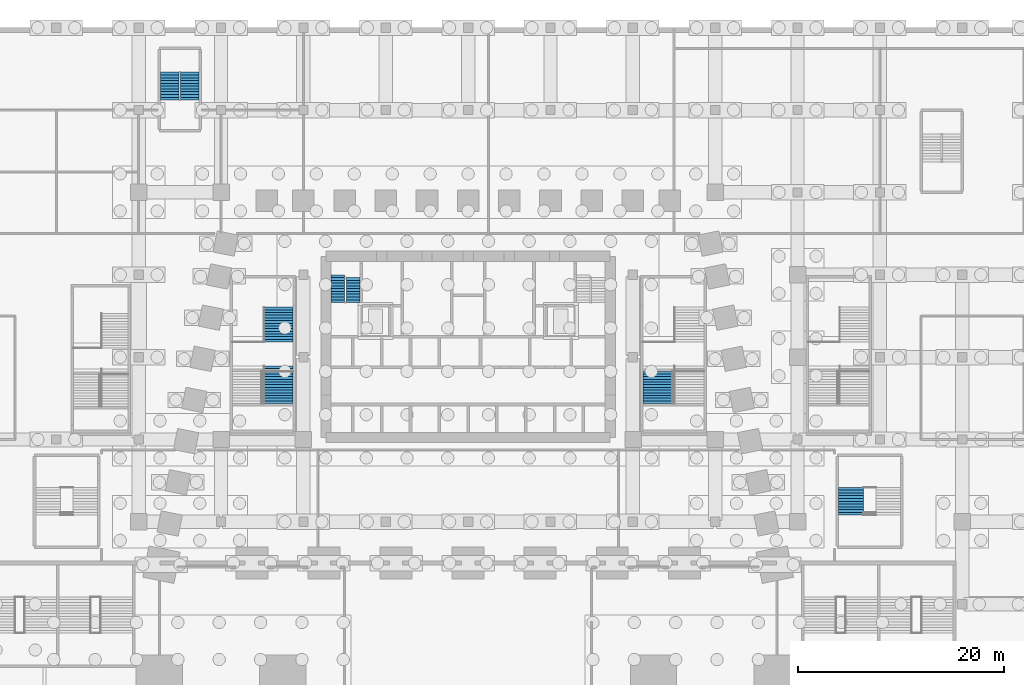
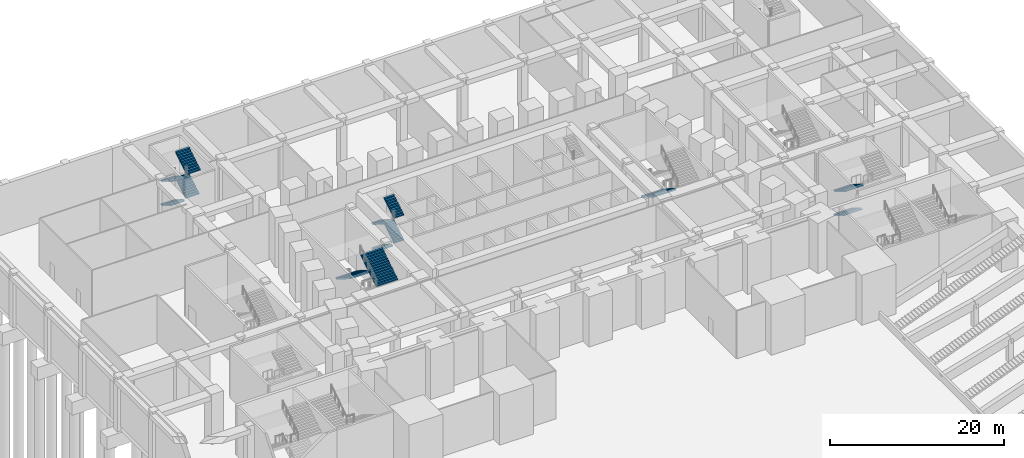
# One storey, part 19 of 30: 13 stair flights, 5 elements without a shape of their own.
"""IFC4 building model written with IfcOpenShell, lengths in metres."""

from ifc_helpers import new_model, si_unit, direction, frame, origin, place, context, subcontext, project, spatial, polyline, outline, extrude, material, type_object, element, aggregate, save


model = new_model("IFC4")

# Units and contexts
model_context = context("Model", 3, precision=1e-05, world=origin(), true_north=direction((0.0, 1.0)))
body_context = subcontext(model_context, "Body", "Model", "MODEL_VIEW")
ifc_project = project(units=[si_unit("LENGTHUNIT", "METRE"), si_unit("AREAUNIT", "SQUARE_METRE"), si_unit("VOLUMEUNIT", "CUBIC_METRE"), si_unit("PLANEANGLEUNIT", "RADIAN"), si_unit("MASSUNIT", "GRAM", prefix="KILO")], contexts=[model_context])

# Site, building, storey
site_placement = place(None, origin())
site = spatial("IfcSite", under=ifc_project, at=site_placement, CompositionType="ELEMENT")
building_placement = place(site_placement, origin())
building = spatial("IfcBuilding", under=site, at=building_placement, Name="Isbrekke Arena Tower", CompositionType="ELEMENT")
storey_placement = place(building_placement, frame((0.0, 0.0, -7.0)))
storey = spatial("IfcBuildingStorey", under=building, at=storey_placement, Name="B1", CompositionType="ELEMENT", Elevation=-7.0)

# Stair, stair flights
ifc_material_1 = material(Name="Concrete B45 (C45/55) precast", Category="concrete")
stair_type_1 = type_object("IfcStairType", Name="ST70 STAIR 1300 WIDE, 42 RISERS 167", PredefinedType="HALF_TURN_STAIR", material=ifc_material_1)
stair_1_placement = place(storey_placement, origin())
stair_1 = element("IfcStair", 1, at=stair_1_placement, inside=storey, type_object=stair_type_1, Name="ST1 stair B1", PredefinedType="HALF_TURN_STAIR")
ifc_material_2 = material(Name="Concrete B45 (C45/55) precast", Category="concrete")
stair_flight_type_1 = type_object("IfcStairFlightType", Name="SF 1300 FLIGHT", PredefinedType="STRAIGHT", material=ifc_material_2)
stair_flight_1_placement = place(storey_placement, frame((-12.64990234375, 22.0, 0.0), z_axis=(0.0, 0.0, 1.0), x_axis=(0.0, -1.0, 0.0)))
stair_flight_1 = element("IfcStairFlight", 2, at=stair_flight_1_placement, type_object=stair_flight_type_1, Name="ST1 flight 1", NumberOfRisers=11, NumberOfTreads=10, PredefinedType="STRAIGHT", RiserHeight=0.166666667, TreadLength=0.27, context=body_context, shape_type="SweptSolid", body=[
    extrude(outline(polyline([(0.0, 0.0), (0.0, 0.166748046875), (0.27001953125, 0.166748046875), (0.27001953125, 0.333251953125), (0.5400390625, 0.333251953125), (0.5400390625, 0.5), (0.81005859375, 0.5), (0.81005859375, 0.666748046875), (1.080078125, 0.666748046875), (1.080078125, 0.833251953125), (1.35009765625, 0.833251953125), (1.35009765625, 1.0), (1.6201171875, 1.0), (1.6201171875, 1.166748046875), (1.889892578125, 1.166748046875), (1.889892578125, 1.333251953125), (2.159912109375, 1.333251953125), (2.159912109375, 1.5), (2.429931640625, 1.5), (2.429931640625, 1.666748046875), (2.699951171875, 1.666748046875), (2.699951171875, 1.833251953125), (2.699951171875, 1.490478515625), (0.285400390625, 0.0), (0.0, 0.0)])), frame((0.0, 0.64990234375, 0.0), z_axis=(0.0, -1.0, 0.0), x_axis=(1.0, 0.0, 0.0)), (0.0, 0.0, 1.0), 1.300048828125),
])
stair_flight_2_placement = place(storey_placement, frame((-11.175048828125, 19.300048828125, 1.833251953125), z_axis=(0.0, 0.0, 1.0), x_axis=(0.0, 1.0, 0.0)))
stair_flight_2 = element("IfcStairFlight", 3, at=stair_flight_2_placement, type_object=stair_flight_type_1, Name="ST1 flight 2", NumberOfRisers=10, NumberOfTreads=9, PredefinedType="STRAIGHT", RiserHeight=0.166666667, TreadLength=0.27, context=body_context, shape_type="SweptSolid", body=[
    extrude(outline(polyline([(0.0, 0.0), (0.0, 0.166748046875), (0.27001953125, 0.166748046875), (0.27001953125, 0.333251953125), (0.5400390625, 0.333251953125), (0.5400390625, 0.5), (0.81005859375, 0.5), (0.81005859375, 0.666748046875), (1.080078125, 0.666748046875), (1.080078125, 0.833251953125), (1.35009765625, 0.833251953125), (1.35009765625, 1.0), (1.6201171875, 1.0), (1.6201171875, 1.166748046875), (1.889892578125, 1.166748046875), (1.889892578125, 1.333251953125), (2.159912109375, 1.333251953125), (2.159912109375, 1.5), (2.429931640625, 1.5), (2.429931640625, 1.666748046875), (2.429931640625, 1.32373046875), (0.285400390625, 0.0), (0.0, 0.0)])), frame((0.0, 0.64990234375, 0.0), z_axis=(0.0, -1.0, 0.0), x_axis=(1.0, 0.0, 0.0)), (0.0, 0.0, 1.0), 1.300048828125),
])
stair_flight_3_placement = place(storey_placement, frame((-12.64990234375, 22.0, 3.5), z_axis=(0.0, 0.0, 1.0), x_axis=(0.0, -1.0, 0.0)))
stair_flight_3 = element("IfcStairFlight", 4, at=stair_flight_3_placement, type_object=stair_flight_type_1, Name="ST1 flight 3", NumberOfRisers=11, NumberOfTreads=10, PredefinedType="STRAIGHT", RiserHeight=0.166666667, TreadLength=0.27, context=body_context, shape_type="SweptSolid", body=[
    extrude(outline(polyline([(0.0, 0.0), (0.0, 0.166748046875), (0.27001953125, 0.166748046875), (0.27001953125, 0.333251953125), (0.5400390625, 0.333251953125), (0.5400390625, 0.5), (0.81005859375, 0.5), (0.81005859375, 0.666748046875), (1.080078125, 0.666748046875), (1.080078125, 0.833251953125), (1.35009765625, 0.833251953125), (1.35009765625, 1.0), (1.6201171875, 1.0), (1.6201171875, 1.166748046875), (1.889892578125, 1.166748046875), (1.889892578125, 1.333251953125), (2.159912109375, 1.333251953125), (2.159912109375, 1.5), (2.429931640625, 1.5), (2.429931640625, 1.666748046875), (2.699951171875, 1.666748046875), (2.699951171875, 1.833251953125), (2.699951171875, 1.490478515625), (0.285400390625, 0.0), (0.0, 0.0)])), frame((0.0, 0.64990234375, 0.0), z_axis=(0.0, -1.0, 0.0), x_axis=(1.0, 0.0, 0.0)), (0.0, 0.0, 1.0), 1.300048828125),
])
stair_flight_4_placement = place(storey_placement, frame((-11.175048828125, 19.300048828125, 5.333251953125), z_axis=(0.0, 0.0, 1.0), x_axis=(0.0, 1.0, 0.0)))
stair_flight_4 = element("IfcStairFlight", 5, at=stair_flight_4_placement, type_object=stair_flight_type_1, Name="ST1 flight 4", NumberOfRisers=10, NumberOfTreads=9, PredefinedType="STRAIGHT", RiserHeight=0.166666667, TreadLength=0.27, context=body_context, shape_type="SweptSolid", body=[
    extrude(outline(polyline([(0.0, 0.0), (0.0, 0.166748046875), (0.27001953125, 0.166748046875), (0.27001953125, 0.333251953125), (0.5400390625, 0.333251953125), (0.5400390625, 0.5), (0.81005859375, 0.5), (0.81005859375, 0.666748046875), (1.080078125, 0.666748046875), (1.080078125, 0.833251953125), (1.35009765625, 0.833251953125), (1.35009765625, 1.0), (1.6201171875, 1.0), (1.6201171875, 1.166748046875), (1.889892578125, 1.166748046875), (1.889892578125, 1.333251953125), (2.159912109375, 1.333251953125), (2.159912109375, 1.5), (2.429931640625, 1.5), (2.429931640625, 1.666748046875), (2.429931640625, 1.32373046875), (0.285400390625, 0.0), (0.0, 0.0)])), frame((0.0, 0.64990234375, 0.0), z_axis=(0.0, -1.0, 0.0), x_axis=(1.0, 0.0, 0.0)), (0.0, 0.0, 1.0), 1.300048828125),
])
aggregate(stair_1, [stair_flight_1, stair_flight_2, stair_flight_3, stair_flight_4])

ifc_material_3 = material(Name="Concrete B45 (C45/55) precast", Category="concrete")
stair_type_2 = type_object("IfcStairType", Name="ST70 STAIR 1800 WIDE, 42 RISERS 167", PredefinedType="HALF_TURN_STAIR", material=ifc_material_3)
stair_2_placement = place(storey_placement, origin())
stair_2 = element("IfcStair", 6, at=stair_2_placement, inside=storey, type_object=stair_type_2, Name="P2 stair B1", PredefinedType="HALF_TURN_STAIR")
ifc_material_4 = material(Name="Concrete B45 (C45/55) precast", Category="concrete")
stair_flight_type_2 = type_object("IfcStairFlightType", Name="SF 1800 FLIGHT", PredefinedType="STRAIGHT", material=ifc_material_4)
stair_flight_5_placement = place(storey_placement, frame((-28.97509765625, 41.675048828125, 0.0), z_axis=(0.0, 0.0, 1.0), x_axis=(0.0, -1.0, 0.0)))
stair_flight_5 = element("IfcStairFlight", 7, at=stair_flight_5_placement, type_object=stair_flight_type_2, Name="P2 flight 1", NumberOfRisers=10, NumberOfTreads=9, PredefinedType="STRAIGHT", RiserHeight=0.166666667, TreadLength=0.27, context=body_context, shape_type="SweptSolid", body=[
    extrude(outline(polyline([(0.0, 0.0), (0.0, 0.166748046875), (0.27001953125, 0.166748046875), (0.27001953125, 0.333251953125), (0.5400390625, 0.333251953125), (0.5400390625, 0.5), (0.81005859375, 0.5), (0.81005859375, 0.666748046875), (1.080078125, 0.666748046875), (1.080078125, 0.833251953125), (1.35009765625, 0.833251953125), (1.35009765625, 1.0), (1.6201171875, 1.0), (1.6201171875, 1.166748046875), (1.889892578125, 1.166748046875), (1.889892578125, 1.333251953125), (2.159912109375, 1.333251953125), (2.159912109375, 1.5), (2.429931640625, 1.5), (2.429931640625, 1.666748046875), (2.429931640625, 1.32373046875), (0.285400390625, 0.0), (0.0, 0.0)])), frame((0.0, 0.89990234375, 0.0), z_axis=(0.0, -1.0, 0.0), x_axis=(1.0, 0.0, 0.0)), (0.0, 0.0, 1.0), 0.90087890625),
    extrude(outline(polyline([(0.0, 0.0), (0.0, 0.166748046875), (0.27001953125, 0.166748046875), (0.27001953125, 0.333251953125), (0.5400390625, 0.333251953125), (0.5400390625, 0.5), (0.81005859375, 0.5), (0.81005859375, 0.666748046875), (1.080078125, 0.666748046875), (1.080078125, 0.833251953125), (1.35009765625, 0.833251953125), (1.35009765625, 1.0), (1.6201171875, 1.0), (1.6201171875, 1.166748046875), (1.889892578125, 1.166748046875), (1.889892578125, 1.333251953125), (2.159912109375, 1.333251953125), (2.159912109375, 1.5), (2.429931640625, 1.5), (2.429931640625, 1.666748046875), (2.429931640625, 1.32373046875), (0.285400390625, 0.0), (0.0, 0.0)])), frame((0.0, 0.0009765625, 0.0), z_axis=(0.0, -1.0, 0.0), x_axis=(1.0, 0.0, 0.0)), (0.0, 0.0, 1.0), 0.90087890625),
])
stair_flight_6_placement = place(storey_placement, frame((-27.02490234375, 39.2451171875, 1.666748046875), z_axis=(0.0, 0.0, 1.0), x_axis=(0.0, 1.0, 0.0)))
stair_flight_6 = element("IfcStairFlight", 8, at=stair_flight_6_placement, type_object=stair_flight_type_2, Name="P2 flight 2", NumberOfRisers=10, NumberOfTreads=9, PredefinedType="STRAIGHT", RiserHeight=0.166666667, TreadLength=0.27, context=body_context, shape_type="SweptSolid", body=[
    extrude(outline(polyline([(0.0, 0.0), (0.0, 0.166748046875), (0.27001953125, 0.166748046875), (0.27001953125, 0.333251953125), (0.5400390625, 0.333251953125), (0.5400390625, 0.5), (0.81005859375, 0.5), (0.81005859375, 0.666748046875), (1.080078125, 0.666748046875), (1.080078125, 0.833251953125), (1.35009765625, 0.833251953125), (1.35009765625, 1.0), (1.6201171875, 1.0), (1.6201171875, 1.166748046875), (1.889892578125, 1.166748046875), (1.889892578125, 1.333251953125), (2.159912109375, 1.333251953125), (2.159912109375, 1.5), (2.429931640625, 1.5), (2.429931640625, 1.666748046875), (2.429931640625, 1.32373046875), (0.285400390625, 0.0), (0.0, 0.0)])), frame((0.0, 0.89990234375, 0.0), z_axis=(0.0, -1.0, 0.0), x_axis=(1.0, 0.0, 0.0)), (0.0, 0.0, 1.0), 0.90087890625),
    extrude(outline(polyline([(0.0, 0.0), (0.0, 0.166748046875), (0.27001953125, 0.166748046875), (0.27001953125, 0.333251953125), (0.5400390625, 0.333251953125), (0.5400390625, 0.5), (0.81005859375, 0.5), (0.81005859375, 0.666748046875), (1.080078125, 0.666748046875), (1.080078125, 0.833251953125), (1.35009765625, 0.833251953125), (1.35009765625, 1.0), (1.6201171875, 1.0), (1.6201171875, 1.166748046875), (1.889892578125, 1.166748046875), (1.889892578125, 1.333251953125), (2.159912109375, 1.333251953125), (2.159912109375, 1.5), (2.429931640625, 1.5), (2.429931640625, 1.666748046875), (2.429931640625, 1.32373046875), (0.285400390625, 0.0), (0.0, 0.0)])), frame((0.0, 0.0009765625, 0.0), z_axis=(0.0, -1.0, 0.0), x_axis=(1.0, 0.0, 0.0)), (0.0, 0.0, 1.0), 0.90087890625),
])
stair_flight_7_placement = place(storey_placement, frame((-28.97509765625, 41.675048828125, 3.333251953125), z_axis=(0.0, 0.0, 1.0), x_axis=(0.0, -1.0, 0.0)))
stair_flight_7 = element("IfcStairFlight", 9, at=stair_flight_7_placement, type_object=stair_flight_type_2, Name="P2 flight 3", NumberOfRisers=11, NumberOfTreads=10, PredefinedType="STRAIGHT", RiserHeight=0.166666667, TreadLength=0.27, context=body_context, shape_type="SweptSolid", body=[
    extrude(outline(polyline([(0.0, 0.0), (0.0, 0.166748046875), (0.27001953125, 0.166748046875), (0.27001953125, 0.333251953125), (0.5400390625, 0.333251953125), (0.5400390625, 0.5), (0.81005859375, 0.5), (0.81005859375, 0.666748046875), (1.080078125, 0.666748046875), (1.080078125, 0.833251953125), (1.35009765625, 0.833251953125), (1.35009765625, 1.0), (1.6201171875, 1.0), (1.6201171875, 1.166748046875), (1.889892578125, 1.166748046875), (1.889892578125, 1.333251953125), (2.159912109375, 1.333251953125), (2.159912109375, 1.5), (2.429931640625, 1.5), (2.429931640625, 1.666748046875), (2.699951171875, 1.666748046875), (2.699951171875, 1.833251953125), (2.699951171875, 1.490478515625), (0.285400390625, 0.0), (0.0, 0.0)])), frame((0.0, 0.89990234375, 0.0), z_axis=(0.0, -1.0, 0.0), x_axis=(1.0, 0.0, 0.0)), (0.0, 0.0, 1.0), 0.90087890625),
    extrude(outline(polyline([(0.0, 0.0), (0.0, 0.166748046875), (0.27001953125, 0.166748046875), (0.27001953125, 0.333251953125), (0.5400390625, 0.333251953125), (0.5400390625, 0.5), (0.81005859375, 0.5), (0.81005859375, 0.666748046875), (1.080078125, 0.666748046875), (1.080078125, 0.833251953125), (1.35009765625, 0.833251953125), (1.35009765625, 1.0), (1.6201171875, 1.0), (1.6201171875, 1.166748046875), (1.889892578125, 1.166748046875), (1.889892578125, 1.333251953125), (2.159912109375, 1.333251953125), (2.159912109375, 1.5), (2.429931640625, 1.5), (2.429931640625, 1.666748046875), (2.699951171875, 1.666748046875), (2.699951171875, 1.833251953125), (2.699951171875, 1.490478515625), (0.285400390625, 0.0), (0.0, 0.0)])), frame((0.0, 0.0009765625, 0.0), z_axis=(0.0, -1.0, 0.0), x_axis=(1.0, 0.0, 0.0)), (0.0, 0.0, 1.0), 0.90087890625),
])
stair_flight_8_placement = place(storey_placement, frame((-27.02490234375, 38.97509765625, 5.166748046875), z_axis=(0.0, 0.0, 1.0), x_axis=(0.0, 1.0, 0.0)))
stair_flight_8 = element("IfcStairFlight", 10, at=stair_flight_8_placement, type_object=stair_flight_type_2, Name="P2 flight 4", NumberOfRisers=11, NumberOfTreads=10, PredefinedType="STRAIGHT", RiserHeight=0.166666667, TreadLength=0.27, context=body_context, shape_type="SweptSolid", body=[
    extrude(outline(polyline([(0.0, 0.0), (0.0, 0.166748046875), (0.27001953125, 0.166748046875), (0.27001953125, 0.333251953125), (0.5400390625, 0.333251953125), (0.5400390625, 0.5), (0.81005859375, 0.5), (0.81005859375, 0.666748046875), (1.080078125, 0.666748046875), (1.080078125, 0.833251953125), (1.35009765625, 0.833251953125), (1.35009765625, 1.0), (1.6201171875, 1.0), (1.6201171875, 1.166748046875), (1.889892578125, 1.166748046875), (1.889892578125, 1.333251953125), (2.159912109375, 1.333251953125), (2.159912109375, 1.5), (2.429931640625, 1.5), (2.429931640625, 1.666748046875), (2.699951171875, 1.666748046875), (2.699951171875, 1.833251953125), (2.699951171875, 1.490478515625), (0.285400390625, 0.0), (0.0, 0.0)])), frame((0.0, 0.89990234375, 0.0), z_axis=(0.0, -1.0, 0.0), x_axis=(1.0, 0.0, 0.0)), (0.0, 0.0, 1.0), 0.90087890625),
    extrude(outline(polyline([(0.0, 0.0), (0.0, 0.166748046875), (0.27001953125, 0.166748046875), (0.27001953125, 0.333251953125), (0.5400390625, 0.333251953125), (0.5400390625, 0.5), (0.81005859375, 0.5), (0.81005859375, 0.666748046875), (1.080078125, 0.666748046875), (1.080078125, 0.833251953125), (1.35009765625, 0.833251953125), (1.35009765625, 1.0), (1.6201171875, 1.0), (1.6201171875, 1.166748046875), (1.889892578125, 1.166748046875), (1.889892578125, 1.333251953125), (2.159912109375, 1.333251953125), (2.159912109375, 1.5), (2.429931640625, 1.5), (2.429931640625, 1.666748046875), (2.699951171875, 1.666748046875), (2.699951171875, 1.833251953125), (2.699951171875, 1.490478515625), (0.285400390625, 0.0), (0.0, 0.0)])), frame((0.0, 0.0009765625, 0.0), z_axis=(0.0, -1.0, 0.0), x_axis=(1.0, 0.0, 0.0)), (0.0, 0.0, 1.0), 0.90087890625),
])
aggregate(stair_2, [stair_flight_5, stair_flight_6, stair_flight_7, stair_flight_8])

ifc_material_5 = material(Name="Concrete B45 (C45/55) precast", Category="concrete")
stair_type_3 = type_object("IfcStairType", Name="ST70 STAIR 2400 WIDE, 42 RISERS 167", PredefinedType="HALF_TURN_STAIR", material=ifc_material_5)
stair_3_placement = place(storey_placement, origin())
stair_3 = element("IfcStair", 11, at=stair_3_placement, inside=storey, type_object=stair_type_3, Name="V1 stair B1", PredefinedType="HALF_TURN_STAIR")
ifc_material_6 = material(Name="Concrete B45 (C45/55) precast", Category="concrete")
stair_flight_type_3 = type_object("IfcStairFlightType", Name="SF 2400 FLIGHT", PredefinedType="STRAIGHT", material=ifc_material_6)
stair_flight_9_placement = place(storey_placement, frame((37.199951171875, 1.35009765625, 0.0), z_axis=(0.0, 0.0, 1.0), x_axis=(0.0, -1.0, 0.0)))
stair_flight_9 = element("IfcStairFlight", 12, at=stair_flight_9_placement, type_object=stair_flight_type_3, Name="V1 flight 1", NumberOfRisers=10, NumberOfTreads=9, PredefinedType="STRAIGHT", RiserHeight=0.166666667, TreadLength=0.27, context=body_context, shape_type="SweptSolid", body=[
    extrude(outline(polyline([(0.0, 0.0), (0.0, 0.166748046875), (0.27001953125, 0.166748046875), (0.27001953125, 0.333251953125), (0.5400390625, 0.333251953125), (0.5400390625, 0.5), (0.81005859375, 0.5), (0.81005859375, 0.666748046875), (1.080078125, 0.666748046875), (1.080078125, 0.833251953125), (1.35009765625, 0.833251953125), (1.35009765625, 1.0), (1.6201171875, 1.0), (1.6201171875, 1.166748046875), (1.889892578125, 1.166748046875), (1.889892578125, 1.333251953125), (2.159912109375, 1.333251953125), (2.159912109375, 1.5), (2.429931640625, 1.5), (2.429931640625, 1.666748046875), (2.429931640625, 1.32373046875), (0.285400390625, 0.0), (0.0, 0.0)])), frame((0.0, 1.199951171875, 0.0), z_axis=(0.0, -1.0, 0.0), x_axis=(1.0, 0.0, 0.0)), (0.0, 0.0, 1.0), 0.48095703125),
    extrude(outline(polyline([(0.0, 0.0), (0.0, 0.166748046875), (0.27001953125, 0.166748046875), (0.27001953125, 0.333251953125), (0.5400390625, 0.333251953125), (0.5400390625, 0.5), (0.81005859375, 0.5), (0.81005859375, 0.666748046875), (1.080078125, 0.666748046875), (1.080078125, 0.833251953125), (1.35009765625, 0.833251953125), (1.35009765625, 1.0), (1.6201171875, 1.0), (1.6201171875, 1.166748046875), (1.889892578125, 1.166748046875), (1.889892578125, 1.333251953125), (2.159912109375, 1.333251953125), (2.159912109375, 1.5), (2.429931640625, 1.5), (2.429931640625, 1.666748046875), (2.429931640625, 1.32373046875), (0.285400390625, 0.0), (0.0, 0.0)])), frame((0.0, 0.720947265625, 0.0), z_axis=(0.0, -1.0, 0.0), x_axis=(1.0, 0.0, 0.0)), (0.0, 0.0, 1.0), 0.48193359375),
    extrude(outline(polyline([(0.0, 0.0), (0.0, 0.166748046875), (0.27001953125, 0.166748046875), (0.27001953125, 0.333251953125), (0.5400390625, 0.333251953125), (0.5400390625, 0.5), (0.81005859375, 0.5), (0.81005859375, 0.666748046875), (1.080078125, 0.666748046875), (1.080078125, 0.833251953125), (1.35009765625, 0.833251953125), (1.35009765625, 1.0), (1.6201171875, 1.0), (1.6201171875, 1.166748046875), (1.889892578125, 1.166748046875), (1.889892578125, 1.333251953125), (2.159912109375, 1.333251953125), (2.159912109375, 1.5), (2.429931640625, 1.5), (2.429931640625, 1.666748046875), (2.429931640625, 1.32373046875), (0.285400390625, 0.0), (0.0, 0.0)])), frame((0.0, 0.240966796875, 0.0), z_axis=(0.0, -1.0, 0.0), x_axis=(1.0, 0.0, 0.0)), (0.0, 0.0, 1.0), 0.48193359375),
    extrude(outline(polyline([(0.0, 0.0), (0.0, 0.166748046875), (0.27001953125, 0.166748046875), (0.27001953125, 0.333251953125), (0.5400390625, 0.333251953125), (0.5400390625, 0.5), (0.81005859375, 0.5), (0.81005859375, 0.666748046875), (1.080078125, 0.666748046875), (1.080078125, 0.833251953125), (1.35009765625, 0.833251953125), (1.35009765625, 1.0), (1.6201171875, 1.0), (1.6201171875, 1.166748046875), (1.889892578125, 1.166748046875), (1.889892578125, 1.333251953125), (2.159912109375, 1.333251953125), (2.159912109375, 1.5), (2.429931640625, 1.5), (2.429931640625, 1.666748046875), (2.429931640625, 1.32373046875), (0.285400390625, 0.0), (0.0, 0.0)])), frame((0.0, -0.239013671875, 0.0), z_axis=(0.0, -1.0, 0.0), x_axis=(1.0, 0.0, 0.0)), (0.0, 0.0, 1.0), 0.48193359375),
    extrude(outline(polyline([(0.0, 0.0), (0.0, 0.166748046875), (0.27001953125, 0.166748046875), (0.27001953125, 0.333251953125), (0.5400390625, 0.333251953125), (0.5400390625, 0.5), (0.81005859375, 0.5), (0.81005859375, 0.666748046875), (1.080078125, 0.666748046875), (1.080078125, 0.833251953125), (1.35009765625, 0.833251953125), (1.35009765625, 1.0), (1.6201171875, 1.0), (1.6201171875, 1.166748046875), (1.889892578125, 1.166748046875), (1.889892578125, 1.333251953125), (2.159912109375, 1.333251953125), (2.159912109375, 1.5), (2.429931640625, 1.5), (2.429931640625, 1.666748046875), (2.429931640625, 1.32373046875), (0.285400390625, 0.0), (0.0, 0.0)])), frame((0.0, -0.718994140625, 0.0), z_axis=(0.0, -1.0, 0.0), x_axis=(1.0, 0.0, 0.0)), (0.0, 0.0, 1.0), 0.48095703125),
])
stair_flight_10_placement = place(storey_placement, frame((37.199951171875, 1.35009765625, 3.333251953125), z_axis=(0.0, 0.0, 1.0), x_axis=(0.0, -1.0, 0.0)))
stair_flight_10 = element("IfcStairFlight", 13, at=stair_flight_10_placement, type_object=stair_flight_type_3, Name="V1 flight 3", NumberOfRisers=11, NumberOfTreads=10, PredefinedType="STRAIGHT", RiserHeight=0.166666667, TreadLength=0.27, context=body_context, shape_type="SweptSolid", body=[
    extrude(outline(polyline([(0.0, 0.0), (0.0, 0.166748046875), (0.27001953125, 0.166748046875), (0.27001953125, 0.333251953125), (0.5400390625, 0.333251953125), (0.5400390625, 0.5), (0.81005859375, 0.5), (0.81005859375, 0.666748046875), (1.080078125, 0.666748046875), (1.080078125, 0.833251953125), (1.35009765625, 0.833251953125), (1.35009765625, 1.0), (1.6201171875, 1.0), (1.6201171875, 1.166748046875), (1.889892578125, 1.166748046875), (1.889892578125, 1.333251953125), (2.159912109375, 1.333251953125), (2.159912109375, 1.5), (2.429931640625, 1.5), (2.429931640625, 1.666748046875), (2.699951171875, 1.666748046875), (2.699951171875, 1.833251953125), (2.699951171875, 1.490478515625), (0.285400390625, 0.0), (0.0, 0.0)])), frame((0.0, 1.199951171875, 0.0), z_axis=(0.0, -1.0, 0.0), x_axis=(1.0, 0.0, 0.0)), (0.0, 0.0, 1.0), 0.801025390625),
    extrude(outline(polyline([(0.0, 0.0), (0.0, 0.166748046875), (0.27001953125, 0.166748046875), (0.27001953125, 0.333251953125), (0.5400390625, 0.333251953125), (0.5400390625, 0.5), (0.81005859375, 0.5), (0.81005859375, 0.666748046875), (1.080078125, 0.666748046875), (1.080078125, 0.833251953125), (1.35009765625, 0.833251953125), (1.35009765625, 1.0), (1.6201171875, 1.0), (1.6201171875, 1.166748046875), (1.889892578125, 1.166748046875), (1.889892578125, 1.333251953125), (2.159912109375, 1.333251953125), (2.159912109375, 1.5), (2.429931640625, 1.5), (2.429931640625, 1.666748046875), (2.699951171875, 1.666748046875), (2.699951171875, 1.833251953125), (2.699951171875, 1.490478515625), (0.285400390625, 0.0), (0.0, 0.0)])), frame((0.0, 0.40087890625, 0.0), z_axis=(0.0, -1.0, 0.0), x_axis=(1.0, 0.0, 0.0)), (0.0, 0.0, 1.0), 0.802001953125),
    extrude(outline(polyline([(0.0, 0.0), (0.0, 0.166748046875), (0.27001953125, 0.166748046875), (0.27001953125, 0.333251953125), (0.5400390625, 0.333251953125), (0.5400390625, 0.5), (0.81005859375, 0.5), (0.81005859375, 0.666748046875), (1.080078125, 0.666748046875), (1.080078125, 0.833251953125), (1.35009765625, 0.833251953125), (1.35009765625, 1.0), (1.6201171875, 1.0), (1.6201171875, 1.166748046875), (1.889892578125, 1.166748046875), (1.889892578125, 1.333251953125), (2.159912109375, 1.333251953125), (2.159912109375, 1.5), (2.429931640625, 1.5), (2.429931640625, 1.666748046875), (2.699951171875, 1.666748046875), (2.699951171875, 1.833251953125), (2.699951171875, 1.490478515625), (0.285400390625, 0.0), (0.0, 0.0)])), frame((0.0, -0.39892578125, 0.0), z_axis=(0.0, -1.0, 0.0), x_axis=(1.0, 0.0, 0.0)), (0.0, 0.0, 1.0), 0.801025390625),
])
aggregate(stair_3, [stair_flight_9, stair_flight_10])

# Stair, stair flight
ifc_material_7 = material(Name="Concrete B45 (C45/55) cast in situ", Category="concrete")
stair_type_4 = type_object("IfcStairType", Name="SX70 EXIT STAIR 2850 WIDE, 42 RISERS 167", PredefinedType="HALF_TURN_STAIR", material=ifc_material_7)
stair_4_placement = place(storey_placement, origin())
stair_4 = element("IfcStair", 14, at=stair_4_placement, inside=storey, type_object=stair_type_4, Name="X5 exit stair B1", PredefinedType="HALF_TURN_STAIR")
ifc_material_8 = material(Name="Concrete B45 (C45/55) cast in situ", Category="concrete")
stair_flight_type_4 = type_object("IfcStairFlightType", Name="SF 2850 FLIGHT 260", PredefinedType="STRAIGHT", material=ifc_material_8)
stair_flight_11_placement = place(storey_placement, frame((18.425048828125, 12.6201171875, 2.333251953125), z_axis=(0.0, 0.0, 1.0), x_axis=(0.0, -1.0, 0.0)))
stair_flight_11 = element("IfcStairFlight", 15, at=stair_flight_11_placement, type_object=stair_flight_type_4, Name="X5 flight 2", NumberOfRisers=13, NumberOfTreads=12, PredefinedType="STRAIGHT", RiserHeight=0.166666667, TreadLength=0.26, context=body_context, shape_type="SweptSolid", body=[
    extrude(outline(polyline([(0.0, 0.0), (0.0, 0.166748046875), (0.260009765625, 0.166748046875), (0.260009765625, 0.333251953125), (0.52001953125, 0.333251953125), (0.52001953125, 0.5), (0.780029296875, 0.5), (0.780029296875, 0.666748046875), (1.0400390625, 0.666748046875), (1.0400390625, 0.833251953125), (1.300048828125, 0.833251953125), (1.300048828125, 1.0), (1.56005859375, 1.0), (1.56005859375, 1.166748046875), (1.820068359375, 1.166748046875), (1.820068359375, 1.333251953125), (2.080078125, 1.333251953125), (2.080078125, 1.5), (2.340087890625, 1.5), (2.340087890625, 1.666748046875), (2.60009765625, 1.666748046875), (2.60009765625, 1.833251953125), (2.860107421875, 1.833251953125), (2.860107421875, 2.0), (3.1201171875, 2.0), (3.1201171875, 2.166748046875), (3.1201171875, 1.822021484375), (0.27783203125, 0.0), (0.0, 0.0)])), frame((0.0, 1.425048828125, 0.0), z_axis=(0.0, -1.0, 0.0), x_axis=(1.0, 0.0, 0.0)), (0.0, 0.0, 1.0), 0.950927734375),
    extrude(outline(polyline([(0.0, 0.0), (0.0, 0.166748046875), (0.260009765625, 0.166748046875), (0.260009765625, 0.333251953125), (0.52001953125, 0.333251953125), (0.52001953125, 0.5), (0.780029296875, 0.5), (0.780029296875, 0.666748046875), (1.0400390625, 0.666748046875), (1.0400390625, 0.833251953125), (1.300048828125, 0.833251953125), (1.300048828125, 1.0), (1.56005859375, 1.0), (1.56005859375, 1.166748046875), (1.820068359375, 1.166748046875), (1.820068359375, 1.333251953125), (2.080078125, 1.333251953125), (2.080078125, 1.5), (2.340087890625, 1.5), (2.340087890625, 1.666748046875), (2.60009765625, 1.666748046875), (2.60009765625, 1.833251953125), (2.860107421875, 1.833251953125), (2.860107421875, 2.0), (3.1201171875, 2.0), (3.1201171875, 2.166748046875), (3.1201171875, 1.822021484375), (0.27783203125, 0.0), (0.0, 0.0)])), frame((0.0, 0.47607421875, 0.0), z_axis=(0.0, -1.0, 0.0), x_axis=(1.0, 0.0, 0.0)), (0.0, 0.0, 1.0), 0.951904296875),
    extrude(outline(polyline([(0.0, 0.0), (0.0, 0.166748046875), (0.260009765625, 0.166748046875), (0.260009765625, 0.333251953125), (0.52001953125, 0.333251953125), (0.52001953125, 0.5), (0.780029296875, 0.5), (0.780029296875, 0.666748046875), (1.0400390625, 0.666748046875), (1.0400390625, 0.833251953125), (1.300048828125, 0.833251953125), (1.300048828125, 1.0), (1.56005859375, 1.0), (1.56005859375, 1.166748046875), (1.820068359375, 1.166748046875), (1.820068359375, 1.333251953125), (2.080078125, 1.333251953125), (2.080078125, 1.5), (2.340087890625, 1.5), (2.340087890625, 1.666748046875), (2.60009765625, 1.666748046875), (2.60009765625, 1.833251953125), (2.860107421875, 1.833251953125), (2.860107421875, 2.0), (3.1201171875, 2.0), (3.1201171875, 2.166748046875), (3.1201171875, 1.822021484375), (0.27783203125, 0.0), (0.0, 0.0)])), frame((0.0, -0.47412109375, 0.0), z_axis=(0.0, -1.0, 0.0), x_axis=(1.0, 0.0, 0.0)), (0.0, 0.0, 1.0), 0.950927734375),
])
aggregate(stair_4, [stair_flight_11])

# Stair, stair flights
stair_5_placement = place(storey_placement, origin())
stair_5 = element("IfcStair", 16, at=stair_5_placement, inside=storey, type_object=stair_type_4, Name="X6 exit stair B1", PredefinedType="HALF_TURN_STAIR")
stair_flight_12_placement = place(storey_placement, frame((-18.425048828125, 18.85009765625, 0.0), z_axis=(0.0, 0.0, 1.0), x_axis=(0.0, -1.0, 0.0)))
stair_flight_12 = element("IfcStairFlight", 17, at=stair_flight_12_placement, type_object=stair_flight_type_4, Name="X6 flight 1", NumberOfRisers=14, NumberOfTreads=13, PredefinedType="STRAIGHT", RiserHeight=0.166666667, TreadLength=0.26, context=body_context, shape_type="SweptSolid", body=[
    extrude(outline(polyline([(0.0, 0.0), (0.0, 0.166748046875), (0.260009765625, 0.166748046875), (0.260009765625, 0.333251953125), (0.52001953125, 0.333251953125), (0.52001953125, 0.5), (0.780029296875, 0.5), (0.780029296875, 0.666748046875), (1.0400390625, 0.666748046875), (1.0400390625, 0.833251953125), (1.300048828125, 0.833251953125), (1.300048828125, 1.0), (1.56005859375, 1.0), (1.56005859375, 1.166748046875), (1.820068359375, 1.166748046875), (1.820068359375, 1.333251953125), (2.080078125, 1.333251953125), (2.080078125, 1.5), (2.340087890625, 1.5), (2.340087890625, 1.666748046875), (2.60009765625, 1.666748046875), (2.60009765625, 1.833251953125), (2.860107421875, 1.833251953125), (2.860107421875, 2.0), (3.1201171875, 2.0), (3.1201171875, 2.166748046875), (3.3798828125, 2.166748046875), (3.3798828125, 2.333251953125), (3.3798828125, 1.988525390625), (0.27783203125, 0.0), (0.0, 0.0)])), frame((0.0, 1.425048828125, 0.0), z_axis=(0.0, -1.0, 0.0), x_axis=(1.0, 0.0, 0.0)), (0.0, 0.0, 1.0), 0.950927734375),
    extrude(outline(polyline([(0.0, 0.0), (0.0, 0.166748046875), (0.260009765625, 0.166748046875), (0.260009765625, 0.333251953125), (0.52001953125, 0.333251953125), (0.52001953125, 0.5), (0.780029296875, 0.5), (0.780029296875, 0.666748046875), (1.0400390625, 0.666748046875), (1.0400390625, 0.833251953125), (1.300048828125, 0.833251953125), (1.300048828125, 1.0), (1.56005859375, 1.0), (1.56005859375, 1.166748046875), (1.820068359375, 1.166748046875), (1.820068359375, 1.333251953125), (2.080078125, 1.333251953125), (2.080078125, 1.5), (2.340087890625, 1.5), (2.340087890625, 1.666748046875), (2.60009765625, 1.666748046875), (2.60009765625, 1.833251953125), (2.860107421875, 1.833251953125), (2.860107421875, 2.0), (3.1201171875, 2.0), (3.1201171875, 2.166748046875), (3.3798828125, 2.166748046875), (3.3798828125, 2.333251953125), (3.3798828125, 1.988525390625), (0.27783203125, 0.0), (0.0, 0.0)])), frame((0.0, 0.47607421875, 0.0), z_axis=(0.0, -1.0, 0.0), x_axis=(1.0, 0.0, 0.0)), (0.0, 0.0, 1.0), 0.951904296875),
    extrude(outline(polyline([(0.0, 0.0), (0.0, 0.166748046875), (0.260009765625, 0.166748046875), (0.260009765625, 0.333251953125), (0.52001953125, 0.333251953125), (0.52001953125, 0.5), (0.780029296875, 0.5), (0.780029296875, 0.666748046875), (1.0400390625, 0.666748046875), (1.0400390625, 0.833251953125), (1.300048828125, 0.833251953125), (1.300048828125, 1.0), (1.56005859375, 1.0), (1.56005859375, 1.166748046875), (1.820068359375, 1.166748046875), (1.820068359375, 1.333251953125), (2.080078125, 1.333251953125), (2.080078125, 1.5), (2.340087890625, 1.5), (2.340087890625, 1.666748046875), (2.60009765625, 1.666748046875), (2.60009765625, 1.833251953125), (2.860107421875, 1.833251953125), (2.860107421875, 2.0), (3.1201171875, 2.0), (3.1201171875, 2.166748046875), (3.3798828125, 2.166748046875), (3.3798828125, 2.333251953125), (3.3798828125, 1.988525390625), (0.27783203125, 0.0), (0.0, 0.0)])), frame((0.0, -0.47412109375, 0.0), z_axis=(0.0, -1.0, 0.0), x_axis=(1.0, 0.0, 0.0)), (0.0, 0.0, 1.0), 0.950927734375),
])
stair_flight_13_placement = place(storey_placement, frame((-18.425048828125, 9.5, 4.5), z_axis=(0.0, 0.0, 1.0), x_axis=(0.0, 1.0, 0.0)))
stair_flight_13 = element("IfcStairFlight", 18, at=stair_flight_13_placement, type_object=stair_flight_type_4, Name="X6 flight 3", NumberOfRisers=15, NumberOfTreads=14, PredefinedType="STRAIGHT", RiserHeight=0.166666667, TreadLength=0.26, context=body_context, shape_type="SweptSolid", body=[
    extrude(outline(polyline([(0.0, 0.0), (0.0, 0.166748046875), (0.260009765625, 0.166748046875), (0.260009765625, 0.333251953125), (0.52001953125, 0.333251953125), (0.52001953125, 0.5), (0.780029296875, 0.5), (0.780029296875, 0.666748046875), (1.0400390625, 0.666748046875), (1.0400390625, 0.833251953125), (1.300048828125, 0.833251953125), (1.300048828125, 1.0), (1.56005859375, 1.0), (1.56005859375, 1.166748046875), (1.820068359375, 1.166748046875), (1.820068359375, 1.333251953125), (2.080078125, 1.333251953125), (2.080078125, 1.5), (2.340087890625, 1.5), (2.340087890625, 1.666748046875), (2.60009765625, 1.666748046875), (2.60009765625, 1.833251953125), (2.860107421875, 1.833251953125), (2.860107421875, 2.0), (3.1201171875, 2.0), (3.1201171875, 2.166748046875), (3.3798828125, 2.166748046875), (3.3798828125, 2.333251953125), (3.639892578125, 2.333251953125), (3.639892578125, 2.5), (3.639892578125, 2.1552734375), (0.27783203125, 0.0), (0.0, 0.0)])), frame((0.0, 1.425048828125, 0.0), z_axis=(0.0, -1.0, 0.0), x_axis=(1.0, 0.0, 0.0)), (0.0, 0.0, 1.0), 1.426025390625),
    extrude(outline(polyline([(0.0, 0.0), (0.0, 0.166748046875), (0.260009765625, 0.166748046875), (0.260009765625, 0.333251953125), (0.52001953125, 0.333251953125), (0.52001953125, 0.5), (0.780029296875, 0.5), (0.780029296875, 0.666748046875), (1.0400390625, 0.666748046875), (1.0400390625, 0.833251953125), (1.300048828125, 0.833251953125), (1.300048828125, 1.0), (1.56005859375, 1.0), (1.56005859375, 1.166748046875), (1.820068359375, 1.166748046875), (1.820068359375, 1.333251953125), (2.080078125, 1.333251953125), (2.080078125, 1.5), (2.340087890625, 1.5), (2.340087890625, 1.666748046875), (2.60009765625, 1.666748046875), (2.60009765625, 1.833251953125), (2.860107421875, 1.833251953125), (2.860107421875, 2.0), (3.1201171875, 2.0), (3.1201171875, 2.166748046875), (3.3798828125, 2.166748046875), (3.3798828125, 2.333251953125), (3.639892578125, 2.333251953125), (3.639892578125, 2.5), (3.639892578125, 2.1552734375), (0.27783203125, 0.0), (0.0, 0.0)])), frame((0.0, 0.0009765625, 0.0), z_axis=(0.0, -1.0, 0.0), x_axis=(1.0, 0.0, 0.0)), (0.0, 0.0, 1.0), 1.426025390625),
])
aggregate(stair_5, [stair_flight_12, stair_flight_13])

save(model, "model.ifc")
